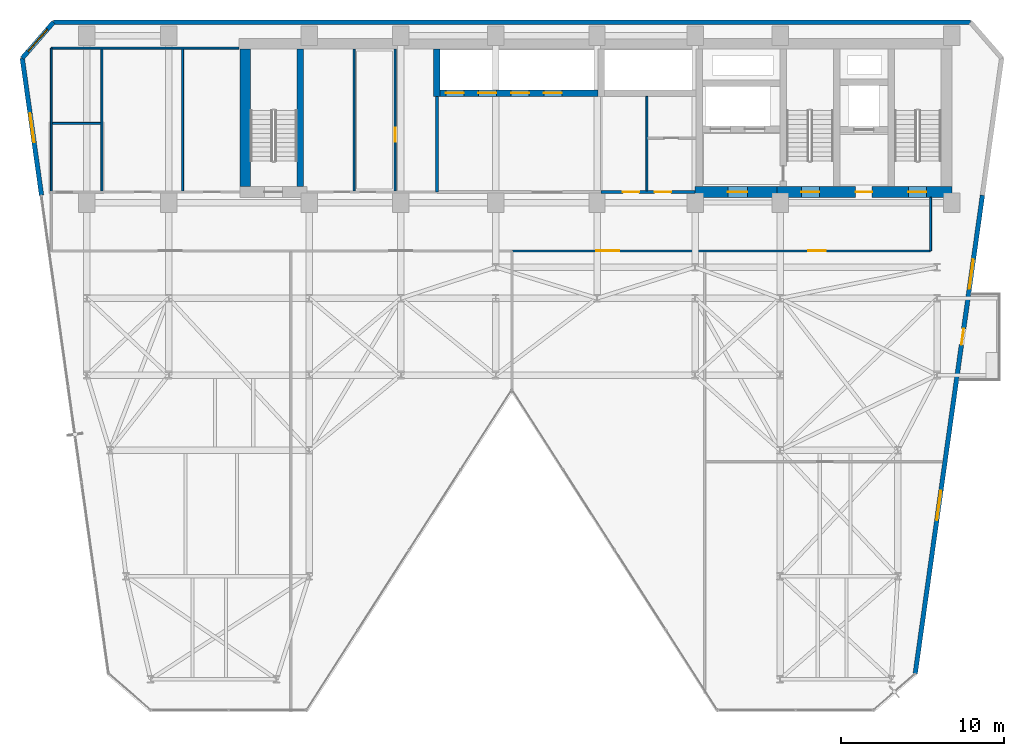
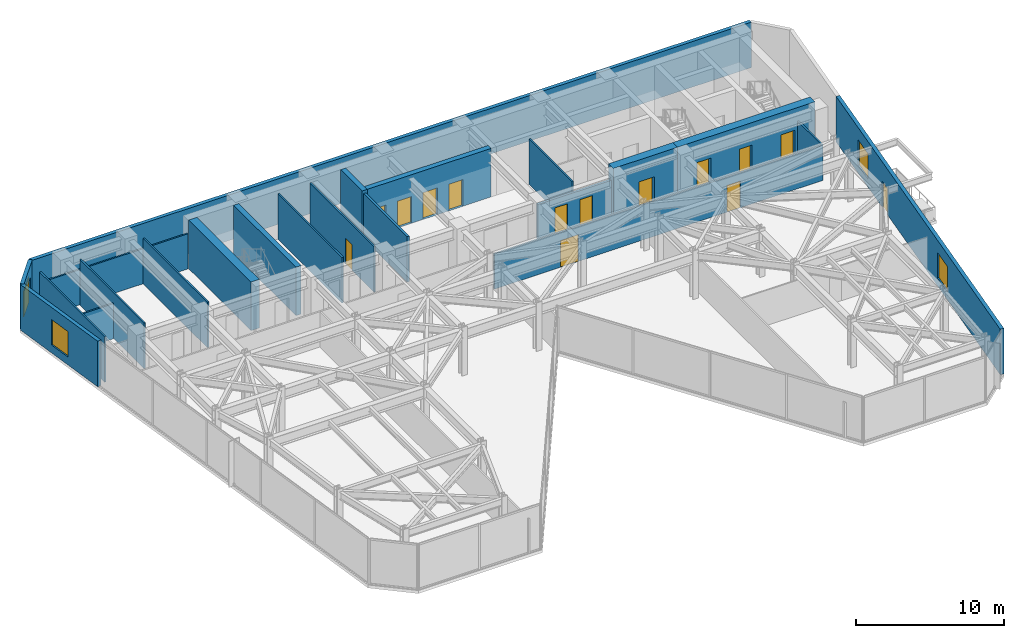
# One storey, part 22 of 26: 22 walls, 14 doors, 4 windows, 18 openings.
"""IFC4 building model written with IfcOpenShell, lengths in metres."""

from ifc_helpers import new_model, si_unit, direction, frame, frame_2d, origin, place, context, subcontext, project, spatial, rectangle, extrude, material, layer, layer_set, type_object, element, fill, save


model = new_model("IFC4")

# Units and contexts
model_context = context("Model", 3, precision=1e-05, world=origin(), true_north=direction((0.0, 1.0)))
body_context = subcontext(model_context, "Body", "Model", "MODEL_VIEW")
ifc_project = project(units=[si_unit("LENGTHUNIT", "METRE"), si_unit("AREAUNIT", "SQUARE_METRE"), si_unit("VOLUMEUNIT", "CUBIC_METRE"), si_unit("PLANEANGLEUNIT", "RADIAN"), si_unit("MASSUNIT", "GRAM", prefix="KILO")], contexts=[model_context])

# Site, building, storey
site_placement = place(None, origin())
site = spatial("IfcSite", under=ifc_project, at=site_placement, CompositionType="ELEMENT")
building_placement = place(site_placement, origin())
building = spatial("IfcBuilding", under=site, at=building_placement, Name="Kravanh Interchange Tower", CompositionType="ELEMENT")
storey_placement = place(building_placement, frame((0.0, 0.0, 124.0)))
storey = spatial("IfcBuildingStorey", under=building, at=storey_placement, Name="L29", CompositionType="ELEMENT", Elevation=124.0)

# Walls
ifc_material_1 = material(Name="Double Acoustic Gypsum Board and Mineral Wool")
ifc_layer_1 = layer(ifc_material_1, 0.1201171875)
ifc_layer_set_1 = layer_set([ifc_layer_1], Name="Acoustic Office Drywall Partition 120mm")
wall_type_1 = type_object("IfcWallType", Name="Acoustic Office Drywall Partition 120mm", PredefinedType="PARTITIONING", material=ifc_layer_set_1)
wall_1_placement = place(storey_placement, frame((47.85009765625, 38.068115234375, 0.0), z_axis=(0.0, 0.0, 1.0), x_axis=(0.0, 1.0, 0.0)))
element("IfcWall", 1, at=wall_1_placement, inside=storey, type_object=wall_type_1, Name="L29 Interior Partition 2", PredefinedType="PARTITIONING", context=body_context, shape_type="SweptSolid", body=[
    extrude(rectangle(XDim=5.77392578125, YDim=0.1201171875, at=frame_2d((2.886962890625, 0.0))), origin(), (0.0, 0.0, 1.0), 3.75),
])
wall_2_placement = place(storey_placement, frame((29.949951171875, 38.068115234375, 0.0), z_axis=(0.0, 0.0, 1.0), x_axis=(0.0, 1.0, 0.0)))
element("IfcWall", 2, at=wall_2_placement, inside=storey, type_object=wall_type_1, Name="L29 Interior Partition 6", PredefinedType="PARTITIONING", context=body_context, shape_type="SweptSolid", body=[
    extrude(rectangle(XDim=8.673828125, YDim=0.1201171875, at=frame_2d((4.3369140625, 0.0))), origin(), (0.0, 0.0, 1.0), 3.75),
])

# Wall, opening, door
wall_3_placement = place(storey_placement, frame((32.449951171875, 38.068115234375, 0.0), z_axis=(0.0, 0.0, 1.0), x_axis=(0.0, 1.0, 0.0)))
wall_3 = element("IfcWall", 3, at=wall_3_placement, inside=storey, type_object=wall_type_1, Name="L29 Interior Partition 7", PredefinedType="PARTITIONING", context=body_context, shape_type="SweptSolid", body=[
    extrude(rectangle(XDim=8.673828125, YDim=0.1201171875, at=frame_2d((4.3369140625, 0.0))), origin(), (0.0, 0.0, 1.0), 3.75),
])
opening_1_placement = place(wall_3_placement, frame((3.007080078125, 0.0, 0.0)))
opening_1 = element("IfcOpeningElement", 4, at=opening_1_placement, cuts=wall_3, Name="Opening D-85", PredefinedType="OPENING", context=body_context, shape_type="SweptSolid", body=[
    extrude(rectangle(XDim=0.85009765625, YDim=2.10009765625, at=frame_2d((0.425048828125, 1.050048828125))), frame((0.0, 0.070068359375, 0.0), z_axis=(0.0, -1.0, 0.0), x_axis=(1.0, 0.0, 0.0)), (0.0, 0.0, 1.0), 0.14013671875),
])
ifc_material_2 = material(Name="Engineered Teak Veneer Timber", Category="wood")
door_type_1 = type_object("IfcDoorType", Name="En-Suite Timber Door 850x2100", OperationType="NOTDEFINED", PredefinedType="DOOR", material=ifc_material_2)
door_1_placement = place(opening_1_placement, origin())
door_1 = element("IfcDoor", 5, at=door_1_placement, inside=storey, type_object=door_type_1, Name="L29 Supply Room Inner Door", OperationType="SINGLE_SWING_RIGHT", OverallHeight=2.10009765625, OverallWidth=0.85009765625, PredefinedType="DOOR", context=body_context, shape_type="SweptSolid", body=[
    extrude(rectangle(XDim=0.85009765625, YDim=2.10009765625, at=frame_2d((0.425048828125, 1.050048828125))), frame((0.0, 0.02490234375, 0.0), z_axis=(0.0, -1.0, 0.0), x_axis=(1.0, 0.0, 0.0)), (0.0, 0.0, 1.0), 0.050048828125),
])
fill(opening_1, door_1)

# Walls
wall_4_placement = place(storey_placement, frame((11.419921875, 38.0, 0.0), z_axis=(0.0, 0.0, 1.0), x_axis=(0.0, 1.0, 0.0)))
element("IfcWall", 6, at=wall_4_placement, inside=storey, type_object=wall_type_1, Name="L29 Restroom West Enclosure 10", PredefinedType="PARTITIONING", context=body_context, shape_type="SweptSolid", body=[
    extrude(rectangle(XDim=8.800048828125, YDim=0.1201171875, at=frame_2d((4.39990234375, 0.0))), origin(), (0.0, 0.0, 1.0), 3.75),
])
wall_5_placement = place(storey_placement, frame((11.419921875, 46.800048828125, 0.0), z_axis=(0.0, 0.0, 1.0), x_axis=(1.0, 0.0, 0.0)))
element("IfcWall", 7, at=wall_5_placement, inside=storey, type_object=wall_type_1, Name="L29 Restroom North Enclosure 11", PredefinedType="PARTITIONING", context=body_context, shape_type="SweptSolid", body=[
    extrude(rectangle(XDim=11.47998046875, YDim=0.1201171875, at=frame_2d((5.739990234375, 0.0))), origin(), (0.0, 0.0, 1.0), 2.89404296875),
])
for number, where, z_axis, x_axis, name in (
    (8, (14.52001953125, 38.068115234375, 0.0), (0.0, 0.0, 1.0), (0.0, 1.0, 0.0), "L29 Interior Partition 12"),
    (9, (19.449951171875, 38.068115234375, 0.0), (0.0, 0.0, 1.0), (0.0, 1.0, 0.0), "L29 Interior Partition 13"),
):
    element("IfcWall", number, at=place(storey_placement, frame(where, z_axis=z_axis, x_axis=x_axis)), inside=storey, type_object=wall_type_1, Name=name, PredefinedType="PARTITIONING", context=body_context, shape_type="SweptSolid", body=[
        extrude(rectangle(XDim=8.663818359375, YDim=0.1201171875, at=frame_2d((4.33203125, 0.0))), origin(), (0.0, 0.0, 1.0), 3.75),
    ])
wall_6_placement = place(storey_placement, frame((11.488037109375, 42.199951171875, 0.0), z_axis=(0.0, 0.0, 1.0), x_axis=(1.0, 0.0, 0.0)))
element("IfcWall", 10, at=wall_6_placement, inside=storey, type_object=wall_type_1, Name="L29 Interior Partition 14", PredefinedType="PARTITIONING", context=body_context, shape_type="SweptSolid", body=[
    extrude(rectangle(XDim=2.9638671875, YDim=0.1201171875, at=frame_2d((1.48193359375, 0.0))), origin(), (0.0, 0.0, 1.0), 2.89404296875),
])

# Wall, openings, doors
wall_7_placement = place(storey_placement, frame((39.60009765625, 34.39990234375, 0.0), z_axis=(0.0, 0.0, 1.0), x_axis=(1.0, 0.0, 0.0)))
wall_7 = element("IfcWall", 11, at=wall_7_placement, inside=storey, type_object=wall_type_1, Name="L29 Interior Partition 16", PredefinedType="PARTITIONING", context=body_context, shape_type="SweptSolid", body=[
    extrude(rectangle(XDim=25.599853515625, YDim=0.1201171875, at=frame_2d((12.7998046875, 0.0))), origin(), (0.0, 0.0, 1.0), 2.89404296875),
])
opening_2_placement = place(wall_7_placement, frame((5.14990234375, 0.0, 0.0)))
opening_2 = element("IfcOpeningElement", 12, at=opening_2_placement, cuts=wall_7, Name="Opening DBL-140", PredefinedType="OPENING", context=body_context, shape_type="SweptSolid", body=[
    extrude(rectangle(XDim=1.39990234375, YDim=2.199951171875, at=frame_2d((0.699951171875, 1.10009765625))), frame((0.0, 0.070068359375, 0.0), z_axis=(0.0, -1.0, 0.0), x_axis=(1.0, 0.0, 0.0)), (0.0, 0.0, 1.0), 0.14013671875),
])
opening_3_placement = place(wall_7_placement, frame((18.125, 0.0, 0.0)))
opening_3 = element("IfcOpeningElement", 13, at=opening_3_placement, cuts=wall_7, Name="Opening D-105", PredefinedType="OPENING", context=body_context, shape_type="SweptSolid", body=[
    extrude(rectangle(XDim=1.050048828125, YDim=2.199951171875, at=frame_2d((0.52490234375, 1.10009765625))), frame((0.0, 0.070068359375, 0.0), z_axis=(0.0, -1.0, 0.0), x_axis=(1.0, 0.0, 0.0)), (0.0, 0.0, 1.0), 0.14013671875),
])
ifc_material_3 = material(Name="Acoustic Bronze-Framed Glass", Category="glass")
door_type_2 = type_object("IfcDoorType", Name="Hospitality Lounge Double Door 1400x2200", OperationType="DOUBLE_DOOR_SINGLE_SWING", PredefinedType="DOOR", material=ifc_material_3)
door_2_placement = place(opening_2_placement, origin())
door_2 = element("IfcDoor", 14, at=door_2_placement, inside=storey, type_object=door_type_2, Name="L29 Policy Analysis Study Door", OperationType="DOUBLE_DOOR_SINGLE_SWING", OverallHeight=2.199951171875, OverallWidth=1.39990234375, PredefinedType="DOOR", context=body_context, shape_type="SweptSolid", body=[
    extrude(rectangle(XDim=1.39990234375, YDim=2.199951171875, at=frame_2d((0.699951171875, 1.10009765625))), frame((0.0, 0.02490234375, 0.0), z_axis=(0.0, -1.0, 0.0), x_axis=(1.0, 0.0, 0.0)), (0.0, 0.0, 1.0), 0.050048828125),
])
fill(opening_2, door_2)
ifc_material_4 = material(Name="Acoustic Glazed Oak and Aluminium", Category="aluminium")
door_type_3 = type_object("IfcDoorType", Name="Office Workplace Door 1050x2200", OperationType="NOTDEFINED", PredefinedType="DOOR", material=ifc_material_4)
door_3_placement = place(opening_3_placement, origin())
door_3 = element("IfcDoor", 15, at=door_3_placement, inside=storey, type_object=door_type_3, Name="L29 East Balcony Office Door", OperationType="SINGLE_SWING_RIGHT", OverallHeight=2.199951171875, OverallWidth=1.050048828125, PredefinedType="DOOR", context=body_context, shape_type="SweptSolid", body=[
    extrude(rectangle(XDim=1.050048828125, YDim=2.199951171875, at=frame_2d((0.52490234375, 1.10009765625))), frame((0.0, 0.02490234375, 0.0), z_axis=(0.0, -1.0, 0.0), x_axis=(1.0, 0.0, 0.0)), (0.0, 0.0, 1.0), 0.050048828125),
])
fill(opening_3, door_3)

# Wall
wall_8_placement = place(storey_placement, frame((65.199951171875, 34.39990234375, 0.0), z_axis=(0.0, 0.0, 1.0), x_axis=(0.0, 1.0, 0.0)))
element("IfcWall", 16, at=wall_8_placement, inside=storey, type_object=wall_type_1, Name="L29 Interior Partition 18", PredefinedType="PARTITIONING", context=body_context, shape_type="SweptSolid", body=[
    extrude(rectangle(XDim=3.26708984375, YDim=0.1201171875, at=frame_2d((1.633544921875, 0.0))), origin(), (0.0, 0.0, 1.0), 2.89404296875),
])

# Wall, openings, doors
ifc_material_5 = material(Name="Concrete C70/85", Category="concrete")
ifc_layer_2 = layer(ifc_material_5, 0.64990234375)
ifc_layer_set_2 = layer_set([ifc_layer_2], Name="Core Shear Wall Concrete C70/85 650mm")
wall_type_2 = type_object("IfcWallType", Name="Core Shear Wall Concrete C70/85 650mm", PredefinedType="SHEAR", material=ifc_layer_set_2)
wall_9_placement = place(storey_placement, frame((55.800048828125, 38.0, 0.0), z_axis=(0.0, 0.0, 1.0), x_axis=(1.0, 0.0, 0.0)))
wall_9 = element("IfcWall", 17, at=wall_9_placement, inside=storey, type_object=wall_type_2, Name="L29 East Core South Shear Wall", PredefinedType="SHEAR", context=body_context, shape_type="SweptSolid", body=[
    extrude(rectangle(XDim=10.699951171875, YDim=0.64990234375, at=frame_2d((5.35009765625, 0.0))), origin(), (0.0, 0.0, 1.0), 4.0),
])
opening_4_placement = place(wall_9_placement, frame((1.5, 0.0, 0.0)))
opening_4 = element("IfcOpeningElement", 18, at=opening_4_placement, cuts=wall_9, Name="Opening D-STAIR-110", PredefinedType="OPENING", context=body_context, shape_type="SweptSolid", body=[
    extrude(rectangle(XDim=1.10009765625, YDim=2.199951171875, at=frame_2d((0.550048828125, 1.10009765625))), frame((0.0, 0.3349609375, 0.0), z_axis=(0.0, -1.0, 0.0), x_axis=(1.0, 0.0, 0.0)), (0.0, 0.0, 1.0), 0.669921875),
])
opening_5_placement = place(wall_9_placement, frame((4.820068359375, 0.0, 0.0)))
opening_5 = element("IfcOpeningElement", 19, at=opening_5_placement, cuts=wall_9, Name="Opening D-HOTEL-100", PredefinedType="OPENING", context=body_context, shape_type="SweptSolid", body=[
    extrude(rectangle(XDim=1.0, YDim=2.14990234375, at=frame_2d((0.5, 1.074951171875))), frame((0.0, 0.3349609375, 0.0), z_axis=(0.0, -1.0, 0.0), x_axis=(1.0, 0.0, 0.0)), (0.0, 0.0, 1.0), 0.669921875),
])
opening_6_placement = place(wall_9_placement, frame((8.050048828125, 0.0, 0.0)))
opening_6 = element("IfcOpeningElement", 20, at=opening_6_placement, cuts=wall_9, Name="Opening D-STAIR-110", PredefinedType="OPENING", context=body_context, shape_type="SweptSolid", body=[
    extrude(rectangle(XDim=1.10009765625, YDim=2.199951171875, at=frame_2d((0.550048828125, 1.10009765625))), frame((0.0, 0.3349609375, 0.0), z_axis=(0.0, -1.0, 0.0), x_axis=(1.0, 0.0, 0.0)), (0.0, 0.0, 1.0), 0.669921875),
])
ifc_material_6 = material(Name="Structural Steel S355", Category="steel")
door_type_4 = type_object("IfcDoorType", Name="Fire-Rated Exit Stair Door 1100x2200", OperationType="NOTDEFINED", PredefinedType="DOOR", material=ifc_material_6)
door_4_placement = place(opening_4_placement, origin())
door_4 = element("IfcDoor", 21, at=door_4_placement, inside=storey, type_object=door_type_4, Name="L29 Exit Stair ST2 Door", OperationType="SINGLE_SWING_RIGHT", OverallHeight=2.199951171875, OverallWidth=1.10009765625, PredefinedType="DOOR", context=body_context, shape_type="SweptSolid", body=[
    extrude(rectangle(XDim=1.10009765625, YDim=2.199951171875, at=frame_2d((0.550048828125, 1.10009765625))), frame((0.0, 0.02490234375, 0.0), z_axis=(0.0, -1.0, 0.0), x_axis=(1.0, 0.0, 0.0)), (0.0, 0.0, 1.0), 0.050048828125),
])
fill(opening_4, door_4)
door_5_placement = place(opening_6_placement, origin())
door_5 = element("IfcDoor", 22, at=door_5_placement, inside=storey, type_object=door_type_4, Name="L29 Exit Stair ST1 Door", OperationType="SINGLE_SWING_RIGHT", OverallHeight=2.199951171875, OverallWidth=1.10009765625, PredefinedType="DOOR", context=body_context, shape_type="SweptSolid", body=[
    extrude(rectangle(XDim=1.10009765625, YDim=2.199951171875, at=frame_2d((0.550048828125, 1.10009765625))), frame((0.0, 0.02490234375, 0.0), z_axis=(0.0, -1.0, 0.0), x_axis=(1.0, 0.0, 0.0)), (0.0, 0.0, 1.0), 0.050048828125),
])
fill(opening_6, door_5)
ifc_material_7 = material(Name="Fire-Rated Solid Timber Leaf", Category="wood")
door_type_5 = type_object("IfcDoorType", Name="Fire-Rated Suite Entrance Door 1000x2150", OperationType="NOTDEFINED", PredefinedType="DOOR", material=ifc_material_7)
door_6_placement = place(opening_5_placement, origin())
door_6 = element("IfcDoor", 23, at=door_6_placement, inside=storey, type_object=door_type_5, Name="L29 Service Lift Lobby Door", OperationType="SINGLE_SWING_RIGHT", OverallHeight=2.14990234375, OverallWidth=1.0, PredefinedType="DOOR", context=body_context, shape_type="SweptSolid", body=[
    extrude(rectangle(XDim=1.0, YDim=2.14990234375, at=frame_2d((0.5, 1.074951171875))), frame((0.0, 0.02490234375, 0.0), z_axis=(0.0, -1.0, 0.0), x_axis=(1.0, 0.0, 0.0)), (0.0, 0.0, 1.0), 0.050048828125),
])
fill(opening_5, door_6)

# Wall, opening, door
wall_10_placement = place(storey_placement, frame((50.800048828125, 38.0, 0.0), z_axis=(0.0, 0.0, 1.0), x_axis=(1.0, 0.0, 0.0)))
wall_10 = element("IfcWall", 24, at=wall_10_placement, inside=storey, type_object=wall_type_2, Name="L29 Firefighting Lobby South Shear Wall", PredefinedType="SHEAR", context=body_context, shape_type="SweptSolid", body=[
    extrude(rectangle(XDim=5.0, YDim=0.64990234375, at=frame_2d((2.5, 0.0))), origin(), (0.0, 0.0, 1.0), 4.0),
])
opening_7_placement = place(wall_10_placement, frame((2.0, 0.0, 0.0)))
opening_7 = element("IfcOpeningElement", 25, at=opening_7_placement, cuts=wall_10, Name="Opening D-FSAE-120", PredefinedType="OPENING", context=body_context, shape_type="SweptSolid", body=[
    extrude(rectangle(XDim=1.199951171875, YDim=2.199951171875, at=frame_2d((0.60009765625, 1.10009765625))), frame((0.0, 0.3349609375, 0.0), z_axis=(0.0, -1.0, 0.0), x_axis=(1.0, 0.0, 0.0)), (0.0, 0.0, 1.0), 0.669921875),
])
ifc_material_8 = material(Name="Structural Steel S355", Category="steel")
door_type_6 = type_object("IfcDoorType", Name="Fire-Rated Refuge and FSAE Door 1200x2200", OperationType="NOTDEFINED", PredefinedType="DOOR", material=ifc_material_8)
door_7_placement = place(opening_7_placement, origin())
door_7 = element("IfcDoor", 26, at=door_7_placement, inside=storey, type_object=door_type_6, Name="L29 Firefighting Lobby Corridor Door", OperationType="SINGLE_SWING_RIGHT", OverallHeight=2.199951171875, OverallWidth=1.199951171875, PredefinedType="DOOR", context=body_context, shape_type="SweptSolid", body=[
    extrude(rectangle(XDim=1.199951171875, YDim=2.199951171875, at=frame_2d((0.60009765625, 1.10009765625))), frame((0.0, 0.02490234375, 0.0), z_axis=(0.0, -1.0, 0.0), x_axis=(1.0, 0.0, 0.0)), (0.0, 0.0, 1.0), 0.050048828125),
])
fill(opening_7, door_7)

# Wall
wall_11_placement = place(storey_placement, frame((23.27490234375, 38.324951171875, 0.0), z_axis=(0.0, 0.0, 1.0), x_axis=(0.0, 1.0, 0.0)))
element("IfcWall", 27, at=wall_11_placement, inside=storey, type_object=wall_type_2, Name="L29 Stair ST3 West Shear Wall", PredefinedType="SHEAR", context=body_context, shape_type="SweptSolid", body=[
    extrude(rectangle(XDim=8.425048828125, YDim=0.64990234375, at=frame_2d((4.21240234375, 0.0))), origin(), (0.0, 0.0, 1.0), 4.0),
])

# Wall, openings, doors
ifc_material_9 = material(Name="Concrete C80/95", Category="concrete")
ifc_layer_3 = layer(ifc_material_9, 0.39990234375)
ifc_layer_set_3 = layer_set([ifc_layer_3], Name="Core Shear Wall Concrete C80/95 400mm")
wall_type_3 = type_object("IfcWallType", Name="Core Shear Wall Concrete C80/95 400mm", PredefinedType="SHEAR", material=ifc_layer_set_3)
wall_12_placement = place(storey_placement, frame((35.199951171875, 44.050048828125, 0.0), z_axis=(0.0, 0.0, 1.0), x_axis=(1.0, 0.0, 0.0)))
wall_12 = element("IfcWall", 28, at=wall_12_placement, inside=storey, type_object=wall_type_3, Name="L29 Mid-Rise Lift Shaft South Wall", PredefinedType="SHEAR", context=body_context, shape_type="SweptSolid", body=[
    extrude(rectangle(XDim=9.650146484375, YDim=0.39990234375, at=frame_2d((4.8251953125, 0.0))), origin(), (0.0, 0.0, 1.0), 4.0),
])
opening_8_placement = place(wall_12_placement, frame((0.35009765625, 0.0, 0.0)))
opening_8 = element("IfcOpeningElement", 29, at=opening_8_placement, cuts=wall_12, Name="Opening LD01", PredefinedType="OPENING", context=body_context, shape_type="SweptSolid", body=[
    extrude(rectangle(XDim=1.10009765625, YDim=2.199951171875, at=frame_2d((0.550048828125, 1.10009765625))), frame((0.0, 0.2099609375, 0.0), z_axis=(0.0, -1.0, 0.0), x_axis=(1.0, 0.0, 0.0)), (0.0, 0.0, 1.0), 0.419921875),
])
opening_9_placement = place(wall_12_placement, frame((2.35009765625, 0.0, 0.0)))
opening_9 = element("IfcOpeningElement", 30, at=opening_9_placement, cuts=wall_12, Name="Opening LD01", PredefinedType="OPENING", context=body_context, shape_type="SweptSolid", body=[
    extrude(rectangle(XDim=1.10009765625, YDim=2.199951171875, at=frame_2d((0.550048828125, 1.10009765625))), frame((0.0, 0.2099609375, 0.0), z_axis=(0.0, -1.0, 0.0), x_axis=(1.0, 0.0, 0.0)), (0.0, 0.0, 1.0), 0.419921875),
])
opening_10_placement = place(wall_12_placement, frame((4.35009765625, 0.0, 0.0)))
opening_10 = element("IfcOpeningElement", 31, at=opening_10_placement, cuts=wall_12, Name="Opening LD01", PredefinedType="OPENING", context=body_context, shape_type="SweptSolid", body=[
    extrude(rectangle(XDim=1.10009765625, YDim=2.199951171875, at=frame_2d((0.550048828125, 1.10009765625))), frame((0.0, 0.2099609375, 0.0), z_axis=(0.0, -1.0, 0.0), x_axis=(1.0, 0.0, 0.0)), (0.0, 0.0, 1.0), 0.419921875),
])
opening_11_placement = place(wall_12_placement, frame((6.35009765625, 0.0, 0.0)))
opening_11 = element("IfcOpeningElement", 32, at=opening_11_placement, cuts=wall_12, Name="Opening LD01", PredefinedType="OPENING", context=body_context, shape_type="SweptSolid", body=[
    extrude(rectangle(XDim=1.10009765625, YDim=2.199951171875, at=frame_2d((0.550048828125, 1.10009765625))), frame((0.0, 0.2099609375, 0.0), z_axis=(0.0, -1.0, 0.0), x_axis=(1.0, 0.0, 0.0)), (0.0, 0.0, 1.0), 0.419921875),
])
ifc_material_10 = material(Name="Stainless Steel 304", Category="steel")
door_type_7 = type_object("IfcDoorType", Name="Passenger Lift Sliding Landing Door 1100x2200", OperationType="DOUBLE_DOOR_SLIDING", PredefinedType="DOOR", material=ifc_material_10)
door_8_placement = place(opening_8_placement, origin())
door_8 = element("IfcDoor", 33, at=door_8_placement, inside=storey, type_object=door_type_7, Name="L29 Lift LP-M1 Landing Door", OperationType="DOUBLE_DOOR_SLIDING", OverallHeight=2.199951171875, OverallWidth=1.10009765625, PredefinedType="DOOR", context=body_context, shape_type="SweptSolid", body=[
    extrude(rectangle(XDim=1.10009765625, YDim=2.199951171875, at=frame_2d((0.550048828125, 1.10009765625))), frame((0.0, 0.02490234375, 0.0), z_axis=(0.0, -1.0, 0.0), x_axis=(1.0, 0.0, 0.0)), (0.0, 0.0, 1.0), 0.050048828125),
])
fill(opening_8, door_8)
door_9_placement = place(opening_9_placement, origin())
door_9 = element("IfcDoor", 34, at=door_9_placement, inside=storey, type_object=door_type_7, Name="L29 Lift LP-M2 Landing Door", OperationType="DOUBLE_DOOR_SLIDING", OverallHeight=2.199951171875, OverallWidth=1.10009765625, PredefinedType="DOOR", context=body_context, shape_type="SweptSolid", body=[
    extrude(rectangle(XDim=1.10009765625, YDim=2.199951171875, at=frame_2d((0.550048828125, 1.10009765625))), frame((0.0, 0.02490234375, 0.0), z_axis=(0.0, -1.0, 0.0), x_axis=(1.0, 0.0, 0.0)), (0.0, 0.0, 1.0), 0.050048828125),
])
fill(opening_9, door_9)
door_10_placement = place(opening_10_placement, origin())
door_10 = element("IfcDoor", 35, at=door_10_placement, inside=storey, type_object=door_type_7, Name="L29 Lift LP-M3 Landing Door", OperationType="DOUBLE_DOOR_SLIDING", OverallHeight=2.199951171875, OverallWidth=1.10009765625, PredefinedType="DOOR", context=body_context, shape_type="SweptSolid", body=[
    extrude(rectangle(XDim=1.10009765625, YDim=2.199951171875, at=frame_2d((0.550048828125, 1.10009765625))), frame((0.0, 0.02490234375, 0.0), z_axis=(0.0, -1.0, 0.0), x_axis=(1.0, 0.0, 0.0)), (0.0, 0.0, 1.0), 0.050048828125),
])
fill(opening_10, door_10)
door_11_placement = place(opening_11_placement, origin())
door_11 = element("IfcDoor", 36, at=door_11_placement, inside=storey, type_object=door_type_7, Name="L29 Lift LP-M4 Landing Door", OperationType="DOUBLE_DOOR_SLIDING", OverallHeight=2.199951171875, OverallWidth=1.10009765625, PredefinedType="DOOR", context=body_context, shape_type="SweptSolid", body=[
    extrude(rectangle(XDim=1.10009765625, YDim=2.199951171875, at=frame_2d((0.550048828125, 1.10009765625))), frame((0.0, 0.02490234375, 0.0), z_axis=(0.0, -1.0, 0.0), x_axis=(1.0, 0.0, 0.0)), (0.0, 0.0, 1.0), 0.050048828125),
])
fill(opening_11, door_11)

# Walls
wall_13_placement = place(storey_placement, frame((35.0, 43.85009765625, 0.0), z_axis=(0.0, 0.0, 1.0), x_axis=(0.0, 1.0, 0.0)))
element("IfcWall", 37, at=wall_13_placement, inside=storey, type_object=wall_type_3, Name="L29 Mid-Rise Lift Shaft West Wall", PredefinedType="SHEAR", context=body_context, shape_type="SweptSolid", body=[
    extrude(rectangle(XDim=2.89990234375, YDim=0.39990234375, at=frame_2d((1.449951171875, 0.0))), origin(), (0.0, 0.0, 1.0), 4.0),
])
wall_14_placement = place(storey_placement, frame((26.64990234375, 38.324951171875, 0.0), z_axis=(0.0, 0.0, 1.0), x_axis=(0.0, 1.0, 0.0)))
element("IfcWall", 38, at=wall_14_placement, inside=storey, type_object=wall_type_3, Name="L29 Stair ST3 East Shear Wall", PredefinedType="SHEAR", context=body_context, shape_type="SweptSolid", body=[
    extrude(rectangle(XDim=8.425048828125, YDim=0.39990234375, at=frame_2d((4.21240234375, 0.0))), origin(), (0.0, 0.0, 1.0), 4.0),
])

# Wall, opening, window
ifc_material_11 = material(Name="Insulated Precast Concrete C40/50 with Bronze Cladding", Category="concrete")
ifc_layer_4 = layer(ifc_material_11, 0.280029296875)
ifc_layer_set_4 = layer_set([ifc_layer_4], Name="Exterior Insulated Concrete C40/50 Bronze Spandrel Wall 280mm")
wall_type_4 = type_object("IfcWallType", Name="Exterior Insulated Concrete C40/50 Bronze Spandrel Wall 280mm", PredefinedType="STANDARD", material=ifc_layer_set_4)
wall_15_placement = place(storey_placement, frame((10.824951171875, 37.800048828125, 0.0), z_axis=(0.0, 0.0, 1.0), x_axis=(-0.139180610108, 0.990267013371, 0.0)))
wall_15 = element("IfcWall", 39, at=wall_15_placement, inside=storey, type_object=wall_type_4, Name="L29 Exterior Wall 1", PredefinedType="STANDARD", context=body_context, shape_type="SweptSolid", body=[
    extrude(rectangle(XDim=8.46728515625, YDim=0.280029296875, at=frame_2d((4.233642578125, 0.0))), origin(), (0.0, 0.0, 1.0), 3.75),
])
opening_12_placement = place(wall_15_placement, frame((3.273193359375, 0.0, 0.64990234375)))
opening_12 = element("IfcOpeningElement", 40, at=opening_12_placement, cuts=wall_15, Name="Opening WN-180X210", PredefinedType="OPENING", context=body_context, shape_type="SweptSolid", body=[
    extrude(rectangle(XDim=1.800048828125, YDim=2.10009765625, at=frame_2d((0.89990234375, 1.050048828125))), frame((0.0, 0.14990234375, 0.0), z_axis=(0.0, -1.0, 0.0), x_axis=(1.0, 0.0, 0.0)), (0.0, 0.0, 1.0), 0.300048828125),
])
ifc_material_12 = material(Name="Thermally Broken Bronze Aluminium and Low-E Glass", Category="aluminium")
window_type = type_object("IfcWindowType", Name="Tower Pier Window 1800x2100", PartitioningType="SINGLE_PANEL", PredefinedType="WINDOW", material=ifc_material_12)
window_1_placement = place(opening_12_placement, origin())
window_1 = element("IfcWindow", 41, at=window_1_placement, inside=storey, type_object=window_type, Name="L29 Corner Window 1", OverallHeight=2.10009765625, OverallWidth=1.800048828125, PartitioningType="SINGLE_PANEL", PredefinedType="WINDOW", context=body_context, shape_type="SweptSolid", body=[
    extrude(rectangle(XDim=1.800048828125, YDim=2.10009765625, at=frame_2d((0.89990234375, 1.050048828125))), frame((0.0, 0.030029296875, 0.0), z_axis=(0.0, -1.0, 0.0), x_axis=(1.0, 0.0, 0.0)), (0.0, 0.0, 1.0), 0.06005859375),
])
fill(opening_12, window_1)

wall_16_placement = place(storey_placement, frame((9.646484375, 46.184814453125, 0.0), z_axis=(0.0, 0.0, 1.0), x_axis=(0.656070644076, 0.754699483226, 0.0)))
wall_16 = element("IfcWall", 42, at=wall_16_placement, inside=storey, type_object=wall_type_4, Name="L29 Exterior Wall 2", PredefinedType="STANDARD", context=body_context, shape_type="SweptSolid", body=[
    extrude(rectangle(XDim=2.908447265625, YDim=0.280029296875, at=frame_2d((1.4541015625, 0.0))), origin(), (0.0, 0.0, 1.0), 3.75),
])
opening_13_placement = place(wall_16_placement, frame((0.541015625, 0.0, 0.64990234375)))
opening_13 = element("IfcOpeningElement", 43, at=opening_13_placement, cuts=wall_16, Name="Opening WN-180X210", PredefinedType="OPENING", context=body_context, shape_type="SweptSolid", body=[
    extrude(rectangle(XDim=1.800048828125, YDim=2.10009765625, at=frame_2d((0.89990234375, 1.050048828125))), frame((0.0, 0.14990234375, 0.0), z_axis=(0.0, -1.0, 0.0), x_axis=(1.0, 0.0, 0.0)), (0.0, 0.0, 1.0), 0.300048828125),
])
window_2_placement = place(opening_13_placement, origin())
window_2 = element("IfcWindow", 44, at=window_2_placement, inside=storey, type_object=window_type, Name="L29 Corner Window 2", OverallHeight=2.10009765625, OverallWidth=1.800048828125, PartitioningType="SINGLE_PANEL", PredefinedType="WINDOW", context=body_context, shape_type="SweptSolid", body=[
    extrude(rectangle(XDim=1.800048828125, YDim=2.10009765625, at=frame_2d((0.89990234375, 1.050048828125))), frame((0.0, 0.030029296875, 0.0), z_axis=(0.0, -1.0, 0.0), x_axis=(1.0, 0.0, 0.0)), (0.0, 0.0, 1.0), 0.06005859375),
])
fill(opening_13, window_2)

# Wall
wall_17_placement = place(storey_placement, frame((11.5546875, 48.3798828125, 0.0), z_axis=(0.0, 0.0, 1.0), x_axis=(1.0, 0.0, 0.0)))
element("IfcWall", 45, at=wall_17_placement, inside=storey, type_object=wall_type_4, Name="L29 Exterior Wall 3", PredefinedType="STANDARD", context=body_context, shape_type="SweptSolid", body=[
    extrude(rectangle(XDim=56.090576171875, YDim=0.280029296875, at=frame_2d((28.04541015625, 0.0))), origin(), (0.0, 0.0, 1.0), 3.75),
])

# Wall, openings, door, windows
wall_18_placement = place(storey_placement, frame((68.375, 37.800048828125, 0.0), z_axis=(0.0, 0.0, 1.0), x_axis=(-0.13917001236, -0.990268502811, 0.0)))
wall_18 = element("IfcWall", 46, at=wall_18_placement, inside=storey, type_object=wall_type_4, Name="L29 Exterior Wall 6", PredefinedType="STANDARD", context=body_context, shape_type="SweptSolid", body=[
    extrude(rectangle(XDim=29.548828125, YDim=0.280029296875, at=frame_2d((14.7744140625, 0.0))), origin(), (0.0, 0.0, 1.0), 3.75),
])
opening_14_placement = place(wall_18_placement, frame((8.23828125, 0.0, 0.0)))
opening_14 = element("IfcOpeningElement", 47, at=opening_14_placement, cuts=wall_18, Name="Opening ED-BAL100", PredefinedType="OPENING", context=body_context, shape_type="SweptSolid", body=[
    extrude(rectangle(XDim=1.0, YDim=2.14990234375, at=frame_2d((0.5, 1.074951171875))), frame((0.0, 0.14990234375, 0.0), z_axis=(0.0, -1.0, 0.0), x_axis=(1.0, 0.0, 0.0)), (0.0, 0.0, 1.0), 0.300048828125),
])
opening_15_placement = place(wall_18_placement, frame((3.97119140625, 0.0, 0.64990234375)))
opening_15 = element("IfcOpeningElement", 48, at=opening_15_placement, cuts=wall_18, Name="Opening WN-180X210", PredefinedType="OPENING", context=body_context, shape_type="SweptSolid", body=[
    extrude(rectangle(XDim=1.800048828125, YDim=2.10009765625, at=frame_2d((0.89990234375, 1.050048828125))), frame((0.0, 0.14990234375, 0.0), z_axis=(0.0, -1.0, 0.0), x_axis=(1.0, 0.0, 0.0)), (0.0, 0.0, 1.0), 0.300048828125),
])
opening_16_placement = place(wall_18_placement, frame((18.255859375, 0.0, 0.64990234375)))
opening_16 = element("IfcOpeningElement", 49, at=opening_16_placement, cuts=wall_18, Name="Opening WN-180X210", PredefinedType="OPENING", context=body_context, shape_type="SweptSolid", body=[
    extrude(rectangle(XDim=1.800048828125, YDim=2.10009765625, at=frame_2d((0.89990234375, 1.050048828125))), frame((0.0, 0.14990234375, 0.0), z_axis=(0.0, -1.0, 0.0), x_axis=(1.0, 0.0, 0.0)), (0.0, 0.0, 1.0), 0.300048828125),
])
ifc_material_13 = material(Name="Thermally Broken Bronze Aluminium and Laminated Glass", Category="aluminium")
door_type_8 = type_object("IfcDoorType", Name="Balcony Glazed Door 1000x2150", OperationType="NOTDEFINED", PredefinedType="DOOR", material=ifc_material_13)
door_12_placement = place(opening_14_placement, origin())
door_12 = element("IfcDoor", 50, at=door_12_placement, inside=storey, type_object=door_type_8, Name="L29 E Tree Balcony Access Door", OperationType="SINGLE_SWING_RIGHT", OverallHeight=2.14990234375, OverallWidth=1.0, PredefinedType="DOOR", context=body_context, shape_type="SweptSolid", body=[
    extrude(rectangle(XDim=1.0, YDim=2.14990234375, at=frame_2d((0.5, 1.074951171875))), frame((0.0, 0.02490234375, 0.0), z_axis=(0.0, -1.0, 0.0), x_axis=(1.0, 0.0, 0.0)), (0.0, 0.0, 1.0), 0.050048828125),
])
fill(opening_14, door_12)
window_3_placement = place(opening_15_placement, origin())
window_3 = element("IfcWindow", 51, at=window_3_placement, inside=storey, type_object=window_type, Name="L29 Facade Window 6A", OverallHeight=2.10009765625, OverallWidth=1.800048828125, PartitioningType="SINGLE_PANEL", PredefinedType="WINDOW", context=body_context, shape_type="SweptSolid", body=[
    extrude(rectangle(XDim=1.800048828125, YDim=2.10009765625, at=frame_2d((0.89990234375, 1.050048828125))), frame((0.0, 0.030029296875, 0.0), z_axis=(0.0, -1.0, 0.0), x_axis=(1.0, 0.0, 0.0)), (0.0, 0.0, 1.0), 0.06005859375),
])
fill(opening_15, window_3)
window_4_placement = place(opening_16_placement, origin())
window_4 = element("IfcWindow", 52, at=window_4_placement, inside=storey, type_object=window_type, Name="L29 Facade Window 6B", OverallHeight=2.10009765625, OverallWidth=1.800048828125, PartitioningType="SINGLE_PANEL", PredefinedType="WINDOW", context=body_context, shape_type="SweptSolid", body=[
    extrude(rectangle(XDim=1.800048828125, YDim=2.10009765625, at=frame_2d((0.89990234375, 1.050048828125))), frame((0.0, 0.030029296875, 0.0), z_axis=(0.0, -1.0, 0.0), x_axis=(1.0, 0.0, 0.0)), (0.0, 0.0, 1.0), 0.06005859375),
])
fill(opening_16, window_4)

# Wall, openings, doors
ifc_material_14 = material(Name="Autoclaved Aerated Concrete C30/37 Blockwork", Category="masonry")
ifc_layer_5 = layer(ifc_material_14, 0.179931640625)
ifc_layer_set_5 = layer_set([ifc_layer_5], Name="Fire-Rated Lobby and Corridor Wall Concrete C30/37 180mm")
wall_type_5 = type_object("IfcWallType", Name="Fire-Rated Lobby and Corridor Wall Concrete C30/37 180mm", PredefinedType="STANDARD", material=ifc_layer_set_5)
wall_19_placement = place(storey_placement, frame((45.050048828125, 38.0, 0.0), z_axis=(0.0, 0.0, 1.0), x_axis=(1.0, 0.0, 0.0)))
wall_19 = element("IfcWall", 53, at=wall_19_placement, inside=storey, type_object=wall_type_5, Name="L29 Core South Enclosure 1", PredefinedType="STANDARD", context=body_context, shape_type="SweptSolid", body=[
    extrude(rectangle(XDim=5.75, YDim=0.179931640625, at=frame_2d((2.875, 0.0))), origin(), (0.0, 0.0, 1.0), 2.89404296875),
])
opening_17_placement = place(wall_19_placement, frame((1.324951171875, 0.0, 0.0)))
opening_17 = element("IfcOpeningElement", 54, at=opening_17_placement, cuts=wall_19, Name="Opening D-HOTEL-100", PredefinedType="OPENING", context=body_context, shape_type="SweptSolid", body=[
    extrude(rectangle(XDim=1.0, YDim=2.14990234375, at=frame_2d((0.5, 1.074951171875))), frame((0.0, 0.10009765625, 0.0), z_axis=(0.0, -1.0, 0.0), x_axis=(1.0, 0.0, 0.0)), (0.0, 0.0, 1.0), 0.199951171875),
])
opening_18_placement = place(wall_19_placement, frame((3.27490234375, 0.0, 0.0)))
opening_18 = element("IfcOpeningElement", 55, at=opening_18_placement, cuts=wall_19, Name="Opening D-HOTEL-100", PredefinedType="OPENING", context=body_context, shape_type="SweptSolid", body=[
    extrude(rectangle(XDim=1.0, YDim=2.14990234375, at=frame_2d((0.5, 1.074951171875))), frame((0.0, 0.10009765625, 0.0), z_axis=(0.0, -1.0, 0.0), x_axis=(1.0, 0.0, 0.0)), (0.0, 0.0, 1.0), 0.199951171875),
])
door_13_placement = place(opening_17_placement, origin())
door_13 = element("IfcDoor", 56, at=door_13_placement, inside=storey, type_object=door_type_5, Name="L29 Core Metering Door", OperationType="SINGLE_SWING_LEFT", OverallHeight=2.14990234375, OverallWidth=1.0, PredefinedType="DOOR", context=body_context, shape_type="SweptSolid", body=[
    extrude(rectangle(XDim=1.0, YDim=2.14990234375, at=frame_2d((0.5, 1.074951171875))), frame((0.0, 0.02490234375, 0.0), z_axis=(0.0, -1.0, 0.0), x_axis=(1.0, 0.0, 0.0)), (0.0, 0.0, 1.0), 0.050048828125),
])
fill(opening_17, door_13)
door_14_placement = place(opening_18_placement, origin())
door_14 = element("IfcDoor", 57, at=door_14_placement, inside=storey, type_object=door_type_5, Name="L29 Core Copy Room Door", OperationType="SINGLE_SWING_RIGHT", OverallHeight=2.14990234375, OverallWidth=1.0, PredefinedType="DOOR", context=body_context, shape_type="SweptSolid", body=[
    extrude(rectangle(XDim=1.0, YDim=2.14990234375, at=frame_2d((0.5, 1.074951171875))), frame((0.0, 0.02490234375, 0.0), z_axis=(0.0, -1.0, 0.0), x_axis=(1.0, 0.0, 0.0)), (0.0, 0.0, 1.0), 0.050048828125),
])
fill(opening_18, door_14)

# Wall
wall_20_placement = place(storey_placement, frame((35.0, 38.0, 0.0), z_axis=(0.0, 0.0, 1.0), x_axis=(0.0, 1.0, 0.0)))
element("IfcWall", 58, at=wall_20_placement, inside=storey, type_object=wall_type_5, Name="L29 Interior Partition 5", PredefinedType="STANDARD", context=body_context, shape_type="SweptSolid", body=[
    extrude(rectangle(XDim=5.85009765625, YDim=0.179931640625, at=frame_2d((2.925048828125, 0.0))), origin(), (0.0, 0.0, 1.0), 3.75),
])

save(model, "model.ifc")
